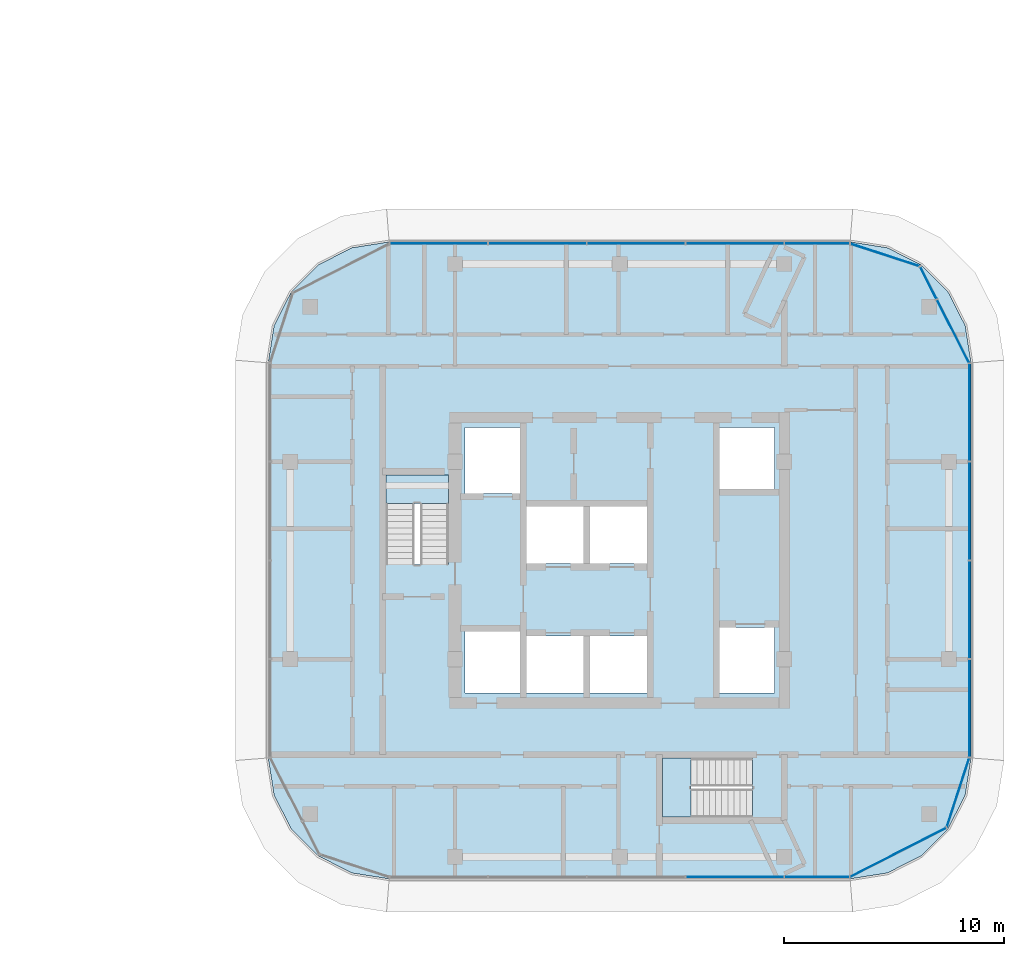
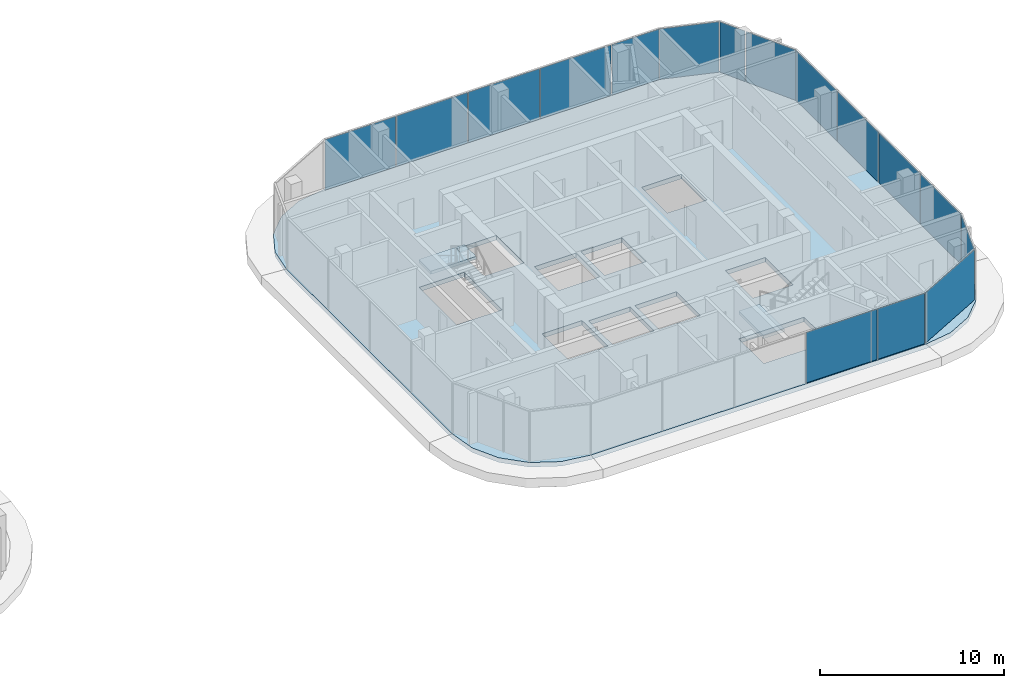
# One storey, part 19 of 40: 16 plates, 3 slabs, 8 elements without a shape of their own.
"""IFC4 building model written with IfcOpenShell, lengths in metres."""

from ifc_helpers import new_model, si_unit, direction, frame, origin, origin_2d, place, context, subcontext, project, spatial, polyline, rectangle, outline, extrude, material, layer, layer_set, type_object, element, aggregate, save


model = new_model("IFC4")

# Units and contexts
model_context = context("Model", 3, precision=1e-05, world=origin(), true_north=direction((0.0, 1.0)))
body_context = subcontext(model_context, "Body", "Model", "MODEL_VIEW")
ifc_project = project(units=[si_unit("LENGTHUNIT", "METRE"), si_unit("AREAUNIT", "SQUARE_METRE"), si_unit("VOLUMEUNIT", "CUBIC_METRE"), si_unit("PLANEANGLEUNIT", "RADIAN"), si_unit("MASSUNIT", "GRAM", prefix="KILO")], contexts=[model_context])

# Site, building, storey
site_placement = place(None, origin())
site = spatial("IfcSite", under=ifc_project, at=site_placement, CompositionType="ELEMENT")
building_placement = place(site_placement, origin())
building = spatial("IfcBuilding", under=site, at=building_placement, Name="Ogive Portal Towers", CompositionType="ELEMENT")
storey_placement = place(building_placement, frame((0.0, 0.0, 87.10009765625)))
storey = spatial("IfcBuildingStorey", under=building, at=storey_placement, Name="L20", CompositionType="ELEMENT", Elevation=87.10009765625)

# Curtain wall, plates
ifc_material_1 = material(Name="Glass, clear low-iron insulated glazing", Category="glass")
curtain_wall_type = type_object("IfcCurtainWallType", Name="CW RESIDENCES RIBBON", PredefinedType="NOTDEFINED", material=ifc_material_1)
curtain_wall_1_placement = place(storey_placement, origin())
curtain_wall_1 = element("IfcCurtainWall", 1, at=curtain_wall_1_placement, inside=storey, type_object=curtain_wall_type, Name="B:L20:f02:cw0", PredefinedType="NOTDEFINED")
ifc_layer_1 = layer(ifc_material_1, 0.028076171875)
ifc_layer_set_1 = layer_set([ifc_layer_1], Name="CW PANEL IGU 28")
plate_type = type_object("IfcPlateType", Name="CW PANEL IGU 28", PredefinedType="CURTAIN_PANEL", material=ifc_layer_set_1)
plate_1_placement = place(storey_placement, frame((141.75, 16.570068359375, 0.0), z_axis=(0.0, 0.0, 1.0), x_axis=(1.0, 0.0, 0.0)))
plate_1 = element("IfcPlate", 2, at=plate_1_placement, type_object=plate_type, Name="panel", PredefinedType="CURTAIN_PANEL", context=body_context, shape_type="SweptSolid", body=[
    extrude(rectangle(XDim=4.43994140625, YDim=0.028076171875, at=origin_2d()), origin(), (0.0, 0.0, 1.0), 3.340087890625),
])
plate_2_placement = place(storey_placement, frame((145.490478515625, 16.570068359375, 0.0), z_axis=(0.0, 0.0, 1.0), x_axis=(1.0, 0.0, 0.0)))
plate_2 = element("IfcPlate", 3, at=plate_2_placement, type_object=plate_type, Name="panel", PredefinedType="CURTAIN_PANEL", context=body_context, shape_type="SweptSolid", body=[
    extrude(rectangle(XDim=2.9208984375, YDim=0.028076171875, at=origin_2d()), origin(), (0.0, 0.0, 1.0), 3.340087890625),
])
aggregate(curtain_wall_1, [plate_1, plate_2])

curtain_wall_2_placement = place(storey_placement, origin())
curtain_wall_2 = element("IfcCurtainWall", 4, at=curtain_wall_2_placement, inside=storey, type_object=curtain_wall_type, Name="B:L20:f05:cw0", PredefinedType="NOTDEFINED")
plate_3_placement = place(storey_placement, frame((152.429931640625, 24.25634765625, 0.0), z_axis=(0.0, 0.0, 1.0), x_axis=(0.0, 1.0, 0.0)))
plate_3 = element("IfcPlate", 5, at=plate_3_placement, type_object=plate_type, Name="panel", PredefinedType="CURTAIN_PANEL", context=body_context, shape_type="SweptSolid", body=[
    extrude(rectangle(XDim=4.42724609375, YDim=0.028076171875, at=origin_2d()), origin(), (0.0, 0.0, 1.0), 3.340087890625),
])
plate_4_placement = place(storey_placement, frame((152.429931640625, 28.75, 0.0), z_axis=(0.0, 0.0, 1.0), x_axis=(0.0, 1.0, 0.0)))
plate_4 = element("IfcPlate", 6, at=plate_4_placement, type_object=plate_type, Name="panel", PredefinedType="CURTAIN_PANEL", context=body_context, shape_type="SweptSolid", body=[
    extrude(rectangle(XDim=4.43994140625, YDim=0.028076171875, at=origin_2d()), origin(), (0.0, 0.0, 1.0), 3.340087890625),
])
plate_5_placement = place(storey_placement, frame((152.429931640625, 33.25, 0.0), z_axis=(0.0, 0.0, 1.0), x_axis=(0.0, 1.0, 0.0)))
plate_5 = element("IfcPlate", 7, at=plate_5_placement, type_object=plate_type, Name="panel", PredefinedType="CURTAIN_PANEL", context=body_context, shape_type="SweptSolid", body=[
    extrude(rectangle(XDim=4.43994140625, YDim=0.028076171875, at=origin_2d()), origin(), (0.0, 0.0, 1.0), 3.340087890625),
])
plate_6_placement = place(storey_placement, frame((152.429931640625, 37.740478515625, 0.0), z_axis=(0.0, 0.0, 1.0), x_axis=(0.0, 1.0, 0.0)))
plate_6 = element("IfcPlate", 8, at=plate_6_placement, type_object=plate_type, Name="panel", PredefinedType="CURTAIN_PANEL", context=body_context, shape_type="SweptSolid", body=[
    extrude(rectangle(XDim=4.4208984375, YDim=0.028076171875, at=origin_2d()), origin(), (0.0, 0.0, 1.0), 3.340087890625),
])
aggregate(curtain_wall_2, [plate_3, plate_4, plate_5, plate_6])

curtain_wall_3_placement = place(storey_placement, origin())
curtain_wall_3 = element("IfcCurtainWall", 9, at=curtain_wall_3_placement, inside=storey, type_object=curtain_wall_type, Name="B:L20:f08:cw0", PredefinedType="NOTDEFINED")
plate_7_placement = place(storey_placement, frame((145.49365234375, 45.429931640625, 0.0), z_axis=(0.0, 0.0, 1.0), x_axis=(-1.0, 0.0, 0.0)))
plate_7 = element("IfcPlate", 10, at=plate_7_placement, type_object=plate_type, Name="panel", PredefinedType="CURTAIN_PANEL", context=body_context, shape_type="SweptSolid", body=[
    extrude(rectangle(XDim=2.92724609375, YDim=0.028076171875, at=origin_2d()), origin(), (0.0, 0.0, 1.0), 3.340087890625),
])
plate_8_placement = place(storey_placement, frame((141.75, 45.429931640625, 0.0), z_axis=(0.0, 0.0, 1.0), x_axis=(-1.0, 0.0, 0.0)))
plate_8 = element("IfcPlate", 11, at=plate_8_placement, type_object=plate_type, Name="panel", PredefinedType="CURTAIN_PANEL", context=body_context, shape_type="SweptSolid", body=[
    extrude(rectangle(XDim=4.43994140625, YDim=0.028076171875, at=origin_2d()), origin(), (0.0, 0.0, 1.0), 3.340087890625),
])
plate_9_placement = place(storey_placement, frame((137.25, 45.429931640625, 0.0), z_axis=(0.0, 0.0, 1.0), x_axis=(-1.0, 0.0, 0.0)))
plate_9 = element("IfcPlate", 12, at=plate_9_placement, type_object=plate_type, Name="panel", PredefinedType="CURTAIN_PANEL", context=body_context, shape_type="SweptSolid", body=[
    extrude(rectangle(XDim=4.43994140625, YDim=0.028076171875, at=origin_2d()), origin(), (0.0, 0.0, 1.0), 3.340087890625),
])
plate_10_placement = place(storey_placement, frame((132.75, 45.429931640625, 0.0), z_axis=(0.0, 0.0, 1.0), x_axis=(-1.0, 0.0, 0.0)))
plate_10 = element("IfcPlate", 13, at=plate_10_placement, type_object=plate_type, Name="panel", PredefinedType="CURTAIN_PANEL", context=body_context, shape_type="SweptSolid", body=[
    extrude(rectangle(XDim=4.43994140625, YDim=0.028076171875, at=origin_2d()), origin(), (0.0, 0.0, 1.0), 3.340087890625),
])
plate_11_placement = place(storey_placement, frame((128.259521484375, 45.429931640625, 0.0), z_axis=(0.0, 0.0, 1.0), x_axis=(-1.0, 0.0, 0.0)))
plate_11 = element("IfcPlate", 14, at=plate_11_placement, type_object=plate_type, Name="panel", PredefinedType="CURTAIN_PANEL", context=body_context, shape_type="SweptSolid", body=[
    extrude(rectangle(XDim=4.4208984375, YDim=0.028076171875, at=origin_2d()), origin(), (0.0, 0.0, 1.0), 3.340087890625),
])
aggregate(curtain_wall_3, [plate_7, plate_8, plate_9, plate_10, plate_11])

curtain_wall_4_placement = place(storey_placement, origin())
curtain_wall_4 = element("IfcCurtainWall", 15, at=curtain_wall_4_placement, inside=storey, type_object=curtain_wall_type, Name="B:L20:f03:cwa", PredefinedType="NOTDEFINED")
plate_12_placement = place(storey_placement, frame((149.186279296875, 17.69384765625, 0.0), z_axis=(0.0, 0.0, 1.0), x_axis=(0.891006524188, 0.45399049974, 0.0)))
plate_12 = element("IfcPlate", 16, at=plate_12_placement, type_object=plate_type, Name="panel", PredefinedType="CURTAIN_PANEL", context=body_context, shape_type="SweptSolid", body=[
    extrude(rectangle(XDim=4.890625, YDim=0.028076171875, at=origin_2d()), origin(), (0.0, 0.0, 1.0), 3.340087890625),
])
plate_13_placement = place(storey_placement, frame((151.910888671875, 20.4150390625, 0.0), z_axis=(0.0, 0.0, 1.0), x_axis=(0.309016994375, 0.951056516295, 0.0)))
plate_13 = element("IfcPlate", 17, at=plate_13_placement, type_object=plate_type, Name="panel", PredefinedType="CURTAIN_PANEL", context=body_context, shape_type="SweptSolid", body=[
    extrude(rectangle(XDim=3.299560546875, YDim=0.028076171875, at=origin_2d()), origin(), (0.0, 0.0, 1.0), 3.340087890625),
])
aggregate(curtain_wall_4, [plate_12, plate_13])

# Curtain wall, plate
curtain_wall_5_placement = place(storey_placement, origin())
curtain_wall_5 = element("IfcCurtainWall", 18, at=curtain_wall_5_placement, inside=storey, type_object=curtain_wall_type, Name="B:L20:f06:cwa~0", PredefinedType="NOTDEFINED")
plate_14_placement = place(storey_placement, frame((151.689453125, 41.43408203125, 0.0), z_axis=(0.0, 0.0, 1.0), x_axis=(-0.45399049974, 0.891006524188, 0.0)))
plate_14 = element("IfcPlate", 19, at=plate_14_placement, type_object=plate_type, Name="panel", PredefinedType="CURTAIN_PANEL", context=body_context, shape_type="SweptSolid", body=[
    extrude(rectangle(XDim=3.2021484375, YDim=0.028076171875, at=origin_2d()), origin(), (0.0, 0.0, 1.0), 3.340087890625),
])
aggregate(curtain_wall_5, [plate_14])

# Curtain wall, plates
curtain_wall_6_placement = place(storey_placement, origin())
curtain_wall_6 = element("IfcCurtainWall", 20, at=curtain_wall_6_placement, inside=storey, type_object=curtain_wall_type, Name="B:L20:f06:cwa~1", PredefinedType="NOTDEFINED")
plate_15_placement = place(storey_placement, frame((150.560546875, 43.64990234375, 0.0), z_axis=(0.0, 0.0, 1.0), x_axis=(-0.45399049974, 0.891006524188, 0.0)))
plate_15 = element("IfcPlate", 21, at=plate_15_placement, type_object=plate_type, Name="panel", PredefinedType="CURTAIN_PANEL", context=body_context, shape_type="SweptSolid", body=[
    extrude(rectangle(XDim=1.60546875, YDim=0.028076171875, at=origin_2d()), origin(), (0.0, 0.0, 1.0), 3.340087890625),
])
plate_16_placement = place(storey_placement, frame((148.5849609375, 44.910888671875, 0.0), z_axis=(0.0, 0.0, 1.0), x_axis=(-0.951056516295, 0.309016994375, 0.0)))
plate_16 = element("IfcPlate", 22, at=plate_16_placement, type_object=plate_type, Name="panel", PredefinedType="CURTAIN_PANEL", context=body_context, shape_type="SweptSolid", body=[
    extrude(rectangle(XDim=3.299560546875, YDim=0.028076171875, at=origin_2d()), origin(), (0.0, 0.0, 1.0), 3.340087890625),
])
aggregate(curtain_wall_6, [plate_15, plate_16])

# Stair, slab
ifc_material_2 = material(Name="Concrete C40/50", Category="concrete")
stair_type = type_object("IfcStairType", Name="INT-STAIR", PredefinedType="HALF_TURN_STAIR", material=ifc_material_2)
stair_1_placement = place(storey_placement, origin())
stair_1 = element("IfcStair", 23, at=stair_1_placement, inside=storey, type_object=stair_type, Name="L20 Exit Stair ST-B1", PredefinedType="HALF_TURN_STAIR")
ifc_layer_2 = layer(ifc_material_2, 0.199951171875)
ifc_layer_set_2 = layer_set([ifc_layer_2], Name="INT-LANDING")
slab_type_1 = type_object("IfcSlabType", Name="INT-LANDING", PredefinedType="LANDING", material=ifc_layer_set_2)
slab_1_placement = place(storey_placement, frame((0.0, 0.0, 1.64990234375)))
slab_1 = element("IfcSlab", 24, at=slab_1_placement, type_object=slab_type_1, Name="ST-B1 landing 1", PredefinedType="LANDING", context=body_context, shape_type="SweptSolid", body=[
    extrude(outline(polyline([(128.699951171875, 33.60009765625), (128.699951171875, 34.89990234375), (125.85009765625, 34.89990234375), (125.85009765625, 33.60009765625), (128.699951171875, 33.60009765625)])), origin(), (0.0, 0.0, 1.0), 0.199951171875),
])
aggregate(stair_1, [slab_1])

stair_2_placement = place(storey_placement, origin())
stair_2 = element("IfcStair", 25, at=stair_2_placement, inside=storey, type_object=stair_type, Name="L20 Exit Stair ST-B2", PredefinedType="HALF_TURN_STAIR")
slab_2_placement = place(storey_placement, frame((0.0, 0.0, 1.64990234375)))
slab_2 = element("IfcSlab", 26, at=slab_2_placement, type_object=slab_type_1, Name="ST-B2 landing 1", PredefinedType="LANDING", context=body_context, shape_type="SweptSolid", body=[
    extrude(outline(polyline([(139.75, 22.0), (138.449951171875, 22.0), (138.449951171875, 19.300048828125), (139.75, 19.300048828125), (139.75, 22.0)])), origin(), (0.0, 0.0, 1.0), 0.199951171875),
])
aggregate(stair_2, [slab_2])

# Slab
ifc_material_3 = material(Name="Concrete C45/55", Category="concrete")
ifc_layer_3 = layer(ifc_material_3, 0.300048828125)
ifc_layer_set_3 = layer_set([ifc_layer_3], Name="PT FLAT PLATE 300")
slab_type_2 = type_object("IfcSlabType", Name="PT FLAT PLATE 300", PredefinedType="FLOOR", material=ifc_layer_set_3)
slab_3_placement = place(storey_placement, frame((0.0, 0.0, -0.300048828125)))
element("IfcSlab", 27, at=slab_3_placement, inside=storey, type_object=slab_type_2, Name="Floor slab L20", PredefinedType="FLOOR", context=body_context, shape_type="SweptSolid", body=[
    extrude(outline(polyline([(120.489990234375, 40.0), (120.489990234375, 22.0), (120.759765625, 20.29736328125), (121.542236328125, 18.76123046875), (122.76123046875, 17.542236328125), (124.29736328125, 16.759765625), (126.0, 16.489990234375), (147.0, 16.489990234375), (148.70263671875, 16.759765625), (150.23876953125, 17.542236328125), (151.457763671875, 18.76123046875), (152.240234375, 20.29736328125), (152.510009765625, 22.0), (152.510009765625, 40.0), (152.240234375, 41.70263671875), (151.457763671875, 43.23876953125), (150.23876953125, 44.457763671875), (148.70263671875, 45.240234375), (147.0, 45.510009765625), (126.0, 45.510009765625), (124.29736328125, 45.240234375), (122.76123046875, 44.457763671875), (121.542236328125, 43.23876953125), (120.759765625, 41.70263671875), (120.489990234375, 40.0)]), holes=[polyline([(131.949951171875, 27.75), (131.949951171875, 24.949951171875), (129.449951171875, 24.949951171875), (129.449951171875, 27.75), (131.949951171875, 27.75)]), polyline([(128.697998046875, 34.89794921875), (128.697998046875, 30.802001953125), (125.85205078125, 30.802001953125), (125.85205078125, 34.89794921875), (128.697998046875, 34.89794921875)]), polyline([(131.949951171875, 37.050048828125), (131.949951171875, 34.050048828125), (129.449951171875, 34.050048828125), (129.449951171875, 37.050048828125), (131.949951171875, 37.050048828125)]), polyline([(138.451904296875, 21.998046875), (142.548095703125, 21.998046875), (142.548095703125, 19.302001953125), (138.451904296875, 19.302001953125), (138.451904296875, 21.998046875)]), polyline([(134.85009765625, 27.550048828125), (134.85009765625, 24.949951171875), (132.25, 24.949951171875), (132.25, 27.550048828125), (134.85009765625, 27.550048828125)]), polyline([(137.75, 27.550048828125), (137.75, 24.949951171875), (135.14990234375, 24.949951171875), (135.14990234375, 27.550048828125), (137.75, 27.550048828125)]), polyline([(143.550048828125, 27.949951171875), (143.550048828125, 24.949951171875), (141.050048828125, 24.949951171875), (141.050048828125, 27.949951171875), (143.550048828125, 27.949951171875)]), polyline([(134.85009765625, 33.449951171875), (134.85009765625, 30.85009765625), (132.25, 30.85009765625), (132.25, 33.449951171875), (134.85009765625, 33.449951171875)]), polyline([(137.75, 33.449951171875), (137.75, 30.85009765625), (135.14990234375, 30.85009765625), (135.14990234375, 33.449951171875), (137.75, 33.449951171875)]), polyline([(141.050048828125, 37.050048828125), (143.550048828125, 37.050048828125), (143.550048828125, 34.25), (141.050048828125, 34.25), (141.050048828125, 37.050048828125)])]), origin(), (0.0, 0.0, 1.0), 0.300048828125),
])

save(model, "model.ifc")
